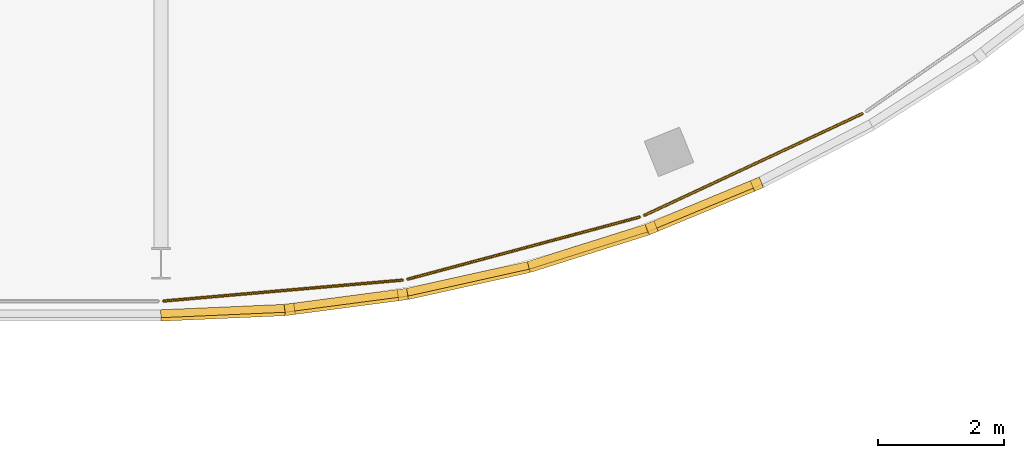
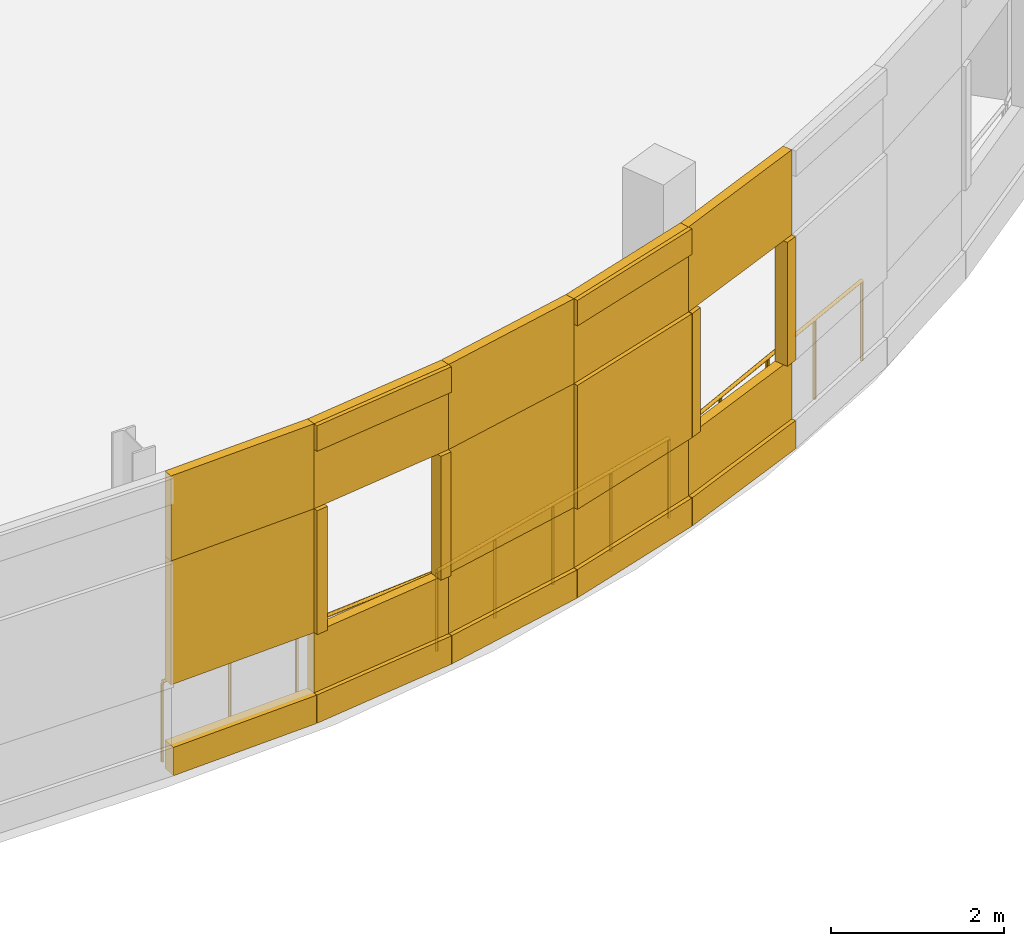
# One storey, part 97 of 103: 23 coverings, 3 railings.
"""IFC4 building model written with IfcOpenShell, lengths in metres."""

from ifc_helpers import new_model, si_unit, direction, frame, origin, origin_2d, place, context, subcontext, project, spatial, rectangle, circle, extrude, material, layer, layer_set, type_object, element, save


model = new_model("IFC4")

# Units and contexts
model_context = context("Model", 3, precision=1e-05, world=origin(), true_north=direction((0.0, 1.0)))
body_context = subcontext(model_context, "Body", "Model", "MODEL_VIEW")
ifc_project = project(units=[si_unit("LENGTHUNIT", "METRE"), si_unit("AREAUNIT", "SQUARE_METRE"), si_unit("VOLUMEUNIT", "CUBIC_METRE"), si_unit("PLANEANGLEUNIT", "RADIAN"), si_unit("MASSUNIT", "GRAM", prefix="KILO")], contexts=[model_context])

# Site, building, storey
site_placement = place(None, origin())
site = spatial("IfcSite", under=ifc_project, at=site_placement, CompositionType="ELEMENT")
building_placement = place(site_placement, origin())
building = spatial("IfcBuilding", under=site, at=building_placement, Name="Deido Ridge Mobility Hub", CompositionType="ELEMENT")
storey_placement = place(building_placement, frame((0.0, 0.0, 12.60009765625)))
storey = spatial("IfcBuildingStorey", under=building, at=storey_placement, Name="L03", CompositionType="ELEMENT", Elevation=12.60009765625)

# Coverings
ifc_material_1 = material(Name="Fired clay brick masonry", Category="masonry")
ifc_layer = layer(ifc_material_1, 0.114990234375, Name="Fired clay brick masonry")
ifc_layer_set = layer_set([ifc_layer], Name="Fired clay brick masonry")
covering_type = type_object("IfcCoveringType", Name="COV-BRK-SCREEN-115", PredefinedType="CLADDING", material=ifc_layer_set)
covering_1_placement = place(storey_placement, frame((117.9794921875, 81.067626953125, 0.0), z_axis=(0.0, 0.0, 1.0), x_axis=(0.999048982732, 0.043601950678, 0.0)))
element("IfcCovering", 1, at=covering_1_placement, inside=storey, type_object=covering_type, Name="Raised brick relief belt BKS1 (L03)", PredefinedType="CLADDING", context=body_context, shape_type="SweptSolid", body=[
    extrude(rectangle(XDim=1.9619140625, YDim=0.179931640625, at=origin_2d()), origin(), (0.0, 0.0, 1.0), 0.39990234375),
])
covering_2_placement = place(storey_placement, frame((117.978271484375, 81.09521484375, 3.0), z_axis=(0.0, 0.0, 1.0), x_axis=(0.999048982732, 0.043601950678, 0.0)))
element("IfcCovering", 2, at=covering_2_placement, inside=storey, type_object=covering_type, Name="Open brickwork lintel course BKS1 (L03)", PredefinedType="CLADDING", context=body_context, shape_type="SweptSolid", body=[
    extrude(rectangle(XDim=1.9619140625, YDim=0.125, at=origin_2d()), origin(), (0.0, 0.0, 1.0), 1.199951171875),
])
covering_3_placement = place(storey_placement, frame((117.978271484375, 81.09521484375, 1.25), z_axis=(0.0, 0.0, 1.0), x_axis=(0.999048982732, 0.043601950678, 0.0)))
element("IfcCovering", 3, at=covering_3_placement, inside=storey, type_object=covering_type, Name="Curved raised brickwork pier BKS1 (L03)", PredefinedType="CLADDING", context=body_context, shape_type="SweptSolid", body=[
    extrude(rectangle(XDim=1.9619140625, YDim=0.125, at=origin_2d()), origin(), (0.0, 0.0, 1.0), 1.75),
])
covering_4_placement = place(storey_placement, frame((119.92724609375, 81.265625, 0.0), z_axis=(0.0, 0.0, 1.0), x_axis=(0.991442583111, 0.130543496177, 0.0)))
element("IfcCovering", 4, at=covering_4_placement, inside=storey, type_object=covering_type, Name="Open brickwork spandrel course BKS1 (L03)", PredefinedType="CLADDING", context=body_context, shape_type="SweptSolid", body=[
    extrude(rectangle(XDim=1.9619140625, YDim=0.125, at=origin_2d()), origin(), (0.0, 0.0, 1.0), 1.25),
])
covering_5_placement = place(storey_placement, frame((119.930908203125, 81.23828125, 0.0), z_axis=(0.0, 0.0, 1.0), x_axis=(0.991442583111, 0.130543496177, 0.0)))
element("IfcCovering", 5, at=covering_5_placement, inside=storey, type_object=covering_type, Name="Raised brick relief belt BKS1 (L03)", PredefinedType="CLADDING", context=body_context, shape_type="SweptSolid", body=[
    extrude(rectangle(XDim=1.9619140625, YDim=0.179931640625, at=origin_2d()), origin(), (0.0, 0.0, 1.0), 0.39990234375),
])
covering_6_placement = place(storey_placement, frame((119.92724609375, 81.265625, 3.0), z_axis=(0.0, 0.0, 1.0), x_axis=(0.991442583111, 0.130543496177, 0.0)))
element("IfcCovering", 6, at=covering_6_placement, inside=storey, type_object=covering_type, Name="Open brickwork lintel course BKS1 (L03)", PredefinedType="CLADDING", context=body_context, shape_type="SweptSolid", body=[
    extrude(rectangle(XDim=1.9619140625, YDim=0.125, at=origin_2d()), origin(), (0.0, 0.0, 1.0), 1.199951171875),
])
covering_7_placement = place(storey_placement, frame((119.930908203125, 81.23828125, 3.83984375), z_axis=(0.0, 0.0, 1.0), x_axis=(0.991442583111, 0.130543496177, 0.0)))
element("IfcCovering", 7, at=covering_7_placement, inside=storey, type_object=covering_type, Name="Raised brick relief cornice BKS1 (L03)", PredefinedType="CLADDING", context=body_context, shape_type="SweptSolid", body=[
    extrude(rectangle(XDim=1.9619140625, YDim=0.179931640625, at=origin_2d()), origin(), (0.0, 0.0, 1.0), 0.360107421875),
])
for number, where, z_axis, x_axis, name in (
    (8, (119.03759765625, 81.120849609375, 1.25), (0.0, 0.0, 1.0), (0.991442583111, 0.130543496177, 0.0), "Curved brick jamb nib BKS1 (L03)"),
    (9, (120.82421875, 81.35595703125, 1.25), (0.0, 0.0, 1.0), (0.991442583111, 0.130543496177, 0.0), "Curved brick jamb nib BKS1 (L03)"),
):
    element("IfcCovering", number, at=place(storey_placement, frame(where, z_axis=z_axis, x_axis=x_axis)), inside=storey, type_object=covering_type, Name=name, PredefinedType="CLADDING", context=body_context, shape_type="SweptSolid", body=[
        extrude(rectangle(XDim=0.152099609375, YDim=0.179931640625, at=origin_2d()), origin(), (0.0, 0.0, 1.0), 1.75),
    ])
covering_8_placement = place(storey_placement, frame((121.85400390625, 81.60546875, 0.0), z_axis=(0.0, 0.0, 1.0), x_axis=(0.976292229387, 0.216456653485, 0.0)))
element("IfcCovering", 10, at=covering_8_placement, inside=storey, type_object=covering_type, Name="Open brickwork spandrel course BKS1 (L03)", PredefinedType="CLADDING", context=body_context, shape_type="SweptSolid", body=[
    extrude(rectangle(XDim=1.9619140625, YDim=0.125, at=origin_2d()), origin(), (0.0, 0.0, 1.0), 1.25),
])
covering_9_placement = place(storey_placement, frame((121.85986328125, 81.57861328125, 0.0), z_axis=(0.0, 0.0, 1.0), x_axis=(0.976292229387, 0.216456653485, 0.0)))
element("IfcCovering", 11, at=covering_9_placement, inside=storey, type_object=covering_type, Name="Raised brick relief belt BKS1 (L03)", PredefinedType="CLADDING", context=body_context, shape_type="SweptSolid", body=[
    extrude(rectangle(XDim=1.9619140625, YDim=0.179931640625, at=origin_2d()), origin(), (0.0, 0.0, 1.0), 0.39990234375),
])
covering_10_placement = place(storey_placement, frame((121.85400390625, 81.60546875, 3.0), z_axis=(0.0, 0.0, 1.0), x_axis=(0.976292229387, 0.216456653485, 0.0)))
element("IfcCovering", 12, at=covering_10_placement, inside=storey, type_object=covering_type, Name="Open brickwork lintel course BKS1 (L03)", PredefinedType="CLADDING", context=body_context, shape_type="SweptSolid", body=[
    extrude(rectangle(XDim=1.9619140625, YDim=0.125, at=origin_2d()), origin(), (0.0, 0.0, 1.0), 1.199951171875),
])
covering_11_placement = place(storey_placement, frame((121.85400390625, 81.60546875, 1.25), z_axis=(0.0, 0.0, 1.0), x_axis=(0.976292229387, 0.216456653485, 0.0)))
element("IfcCovering", 13, at=covering_11_placement, inside=storey, type_object=covering_type, Name="Curved raised brickwork pier BKS1 (L03)", PredefinedType="CLADDING", context=body_context, shape_type="SweptSolid", body=[
    extrude(rectangle(XDim=1.9619140625, YDim=0.125, at=origin_2d()), origin(), (0.0, 0.0, 1.0), 1.75),
])
covering_12_placement = place(storey_placement, frame((123.74365234375, 82.11181640625, 0.0), z_axis=(0.0, 0.0, 1.0), x_axis=(0.95372744678, 0.300672508319, 0.0)))
element("IfcCovering", 14, at=covering_12_placement, inside=storey, type_object=covering_type, Name="Open brickwork spandrel course BKS1 (L03)", PredefinedType="CLADDING", context=body_context, shape_type="SweptSolid", body=[
    extrude(rectangle(XDim=1.9619140625, YDim=0.125, at=origin_2d()), origin(), (0.0, 0.0, 1.0), 1.25),
])
covering_13_placement = place(storey_placement, frame((123.751953125, 82.085693359375, 0.0), z_axis=(0.0, 0.0, 1.0), x_axis=(0.95372744678, 0.300672508319, 0.0)))
element("IfcCovering", 15, at=covering_13_placement, inside=storey, type_object=covering_type, Name="Raised brick relief belt BKS1 (L03)", PredefinedType="CLADDING", context=body_context, shape_type="SweptSolid", body=[
    extrude(rectangle(XDim=1.9619140625, YDim=0.179931640625, at=origin_2d()), origin(), (0.0, 0.0, 1.0), 0.39990234375),
])
covering_14_placement = place(storey_placement, frame((123.74365234375, 82.11181640625, 3.0), z_axis=(0.0, 0.0, 1.0), x_axis=(0.95372744678, 0.300672508319, 0.0)))
element("IfcCovering", 16, at=covering_14_placement, inside=storey, type_object=covering_type, Name="Open brickwork lintel course BKS1 (L03)", PredefinedType="CLADDING", context=body_context, shape_type="SweptSolid", body=[
    extrude(rectangle(XDim=1.9619140625, YDim=0.125, at=origin_2d()), origin(), (0.0, 0.0, 1.0), 1.199951171875),
])
covering_15_placement = place(storey_placement, frame((123.751953125, 82.085693359375, 3.83984375), z_axis=(0.0, 0.0, 1.0), x_axis=(0.95372744678, 0.300672508319, 0.0)))
element("IfcCovering", 17, at=covering_15_placement, inside=storey, type_object=covering_type, Name="Raised brick relief cornice BKS1 (L03)", PredefinedType="CLADDING", context=body_context, shape_type="SweptSolid", body=[
    extrude(rectangle(XDim=1.9619140625, YDim=0.179931640625, at=origin_2d()), origin(), (0.0, 0.0, 1.0), 0.360107421875),
])
covering_16_placement = place(storey_placement, frame((123.751953125, 82.085693359375, 1.25), z_axis=(0.0, 0.0, 1.0), x_axis=(0.95372744678, 0.300672508319, 0.0)))
element("IfcCovering", 18, at=covering_16_placement, inside=storey, type_object=covering_type, Name="Curved raised brickwork pier BKS1 (L03)", PredefinedType="CLADDING", context=body_context, shape_type="SweptSolid", body=[
    extrude(rectangle(XDim=1.9619140625, YDim=0.179931640625, at=origin_2d()), origin(), (0.0, 0.0, 1.0), 1.75),
])
covering_17_placement = place(storey_placement, frame((125.58203125, 82.781005859375, 0.0), z_axis=(0.0, 0.0, 1.0), x_axis=(0.923872853285, 0.382699557047, 0.0)))
element("IfcCovering", 19, at=covering_17_placement, inside=storey, type_object=covering_type, Name="Open brickwork spandrel course BKS1 (L03)", PredefinedType="CLADDING", context=body_context, shape_type="SweptSolid", body=[
    extrude(rectangle(XDim=1.9619140625, YDim=0.125, at=origin_2d()), origin(), (0.0, 0.0, 1.0), 1.25),
])
covering_18_placement = place(storey_placement, frame((125.5927734375, 82.755615234375, 0.0), z_axis=(0.0, 0.0, 1.0), x_axis=(0.923872853285, 0.382699557047, 0.0)))
element("IfcCovering", 20, at=covering_18_placement, inside=storey, type_object=covering_type, Name="Raised brick relief belt BKS1 (L03)", PredefinedType="CLADDING", context=body_context, shape_type="SweptSolid", body=[
    extrude(rectangle(XDim=1.9619140625, YDim=0.179931640625, at=origin_2d()), origin(), (0.0, 0.0, 1.0), 0.39990234375),
])
covering_19_placement = place(storey_placement, frame((125.58203125, 82.781005859375, 3.0), z_axis=(0.0, 0.0, 1.0), x_axis=(0.923872853285, 0.382699557047, 0.0)))
element("IfcCovering", 21, at=covering_19_placement, inside=storey, type_object=covering_type, Name="Open brickwork lintel course BKS1 (L03)", PredefinedType="CLADDING", context=body_context, shape_type="SweptSolid", body=[
    extrude(rectangle(XDim=1.9619140625, YDim=0.125, at=origin_2d()), origin(), (0.0, 0.0, 1.0), 1.199951171875),
])
for number, where, z_axis, x_axis, name in (
    (22, (124.76025390625, 82.41064453125, 1.25), (0.0, 0.0, 1.0), (0.923872853285, 0.382699557047, 0.0), "Curved brick jamb nib BKS1 (L03)"),
    (23, (126.425048828125, 83.100341796875, 1.25), (0.0, 0.0, 1.0), (0.923872853285, 0.382699557047, 0.0), "Curved brick jamb nib BKS1 (L03)"),
):
    element("IfcCovering", number, at=place(storey_placement, frame(where, z_axis=z_axis, x_axis=x_axis)), inside=storey, type_object=covering_type, Name=name, PredefinedType="CLADDING", context=body_context, shape_type="SweptSolid", body=[
        extrude(rectangle(XDim=0.152099609375, YDim=0.179931640625, at=origin_2d()), origin(), (0.0, 0.0, 1.0), 1.75),
    ])

# Railings
ifc_material_2 = material(Name="Galvanised steel work", Category="steel")
railing_type = type_object("IfcRailingType", Name="RL-GRD-EXT-1150", PredefinedType="GUARDRAIL", material=ifc_material_2)
railing_1_placement = place(storey_placement, frame((117.039794921875, 81.25341796875, 0.0)))
element("IfcRailing", 24, at=railing_1_placement, inside=storey, type_object=railing_type, Name="Parking drum perimeter guard (L03)", PredefinedType="GUARDRAIL", context=body_context, shape_type="SweptSolid", body=[
    extrude(circle(Radius=0.02392578125, at=origin_2d()), frame((0.0, 0.0, 1.1259765625), z_axis=(0.996195112607, 0.08715100469, 0.0), x_axis=(-0.08715100469, 0.996195112607, 0.0)), (0.0, 0.0, 1.0), 3.798583984375),
    extrude(circle(Radius=0.02099609375, at=origin_2d()), origin(), (0.0, 0.0, 1.0), 1.101806640625),
    extrude(circle(Radius=0.02099609375, at=origin_2d()), frame((0.946044921875, 0.082763671875, 0.0)), (0.0, 0.0, 1.0), 1.101806640625),
    extrude(circle(Radius=0.02099609375, at=origin_2d()), frame((1.89208984375, 0.16552734375, 0.0)), (0.0, 0.0, 1.0), 1.101806640625),
    extrude(circle(Radius=0.02099609375, at=origin_2d()), frame((2.838134765625, 0.248291015625, 0.0)), (0.0, 0.0, 1.0), 1.101806640625),
    extrude(circle(Radius=0.02099609375, at=origin_2d()), frame((3.7841796875, 0.3310546875, 0.0)), (0.0, 0.0, 1.0), 1.101806640625),
])
railing_2_placement = place(storey_placement, frame((120.90234375, 81.598388671875, 0.0)))
element("IfcRailing", 25, at=railing_2_placement, inside=storey, type_object=railing_type, Name="Parking drum perimeter guard (L03)", PredefinedType="GUARDRAIL", context=body_context, shape_type="SweptSolid", body=[
    extrude(circle(Radius=0.02392578125, at=origin_2d()), frame((0.0, 0.0, 1.1259765625), z_axis=(0.965937723757, 0.258774639064, 0.0), x_axis=(-0.258774639064, 0.965937723757, 0.0)), (0.0, 0.0, 1.0), 3.79833984375),
    extrude(circle(Radius=0.02099609375, at=origin_2d()), origin(), (0.0, 0.0, 1.0), 1.101806640625),
    extrude(circle(Radius=0.02099609375, at=origin_2d()), frame((0.917236328125, 0.24560546875, 0.0)), (0.0, 0.0, 1.0), 1.101806640625),
    extrude(circle(Radius=0.02099609375, at=origin_2d()), frame((1.83447265625, 0.491455078125, 0.0)), (0.0, 0.0, 1.0), 1.101806640625),
    extrude(circle(Radius=0.02099609375, at=origin_2d()), frame((2.751708984375, 0.7373046875, 0.0)), (0.0, 0.0, 1.0), 1.101806640625),
    extrude(circle(Radius=0.02099609375, at=origin_2d()), frame((3.6689453125, 0.98291015625, 0.0)), (0.0, 0.0, 1.0), 1.101806640625),
])
railing_3_placement = place(storey_placement, frame((124.646240234375, 82.608642578125, 0.0)))
element("IfcRailing", 26, at=railing_3_placement, inside=storey, type_object=railing_type, Name="Parking drum perimeter guard (L03)", PredefinedType="GUARDRAIL", context=body_context, shape_type="SweptSolid", body=[
    extrude(circle(Radius=0.02392578125, at=origin_2d()), frame((0.0, 0.0, 1.1259765625), z_axis=(0.906281639574, 0.422674330627, 0.0), x_axis=(-0.422674330627, 0.906281639574, 0.0)), (0.0, 0.0, 1.0), 3.79833984375),
    extrude(circle(Radius=0.02099609375, at=origin_2d()), origin(), (0.0, 0.0, 1.0), 1.101806640625),
    extrude(circle(Radius=0.02099609375, at=origin_2d()), frame((0.860595703125, 0.4013671875, 0.0)), (0.0, 0.0, 1.0), 1.101806640625),
    extrude(circle(Radius=0.02099609375, at=origin_2d()), frame((1.72119140625, 0.802734375, 0.0)), (0.0, 0.0, 1.0), 1.101806640625),
    extrude(circle(Radius=0.02099609375, at=origin_2d()), frame((2.581787109375, 1.2041015625, 0.0)), (0.0, 0.0, 1.0), 1.101806640625),
    extrude(circle(Radius=0.02099609375, at=origin_2d()), frame((3.4423828125, 1.60546875, 0.0)), (0.0, 0.0, 1.0), 1.101806640625),
])

save(model, "model.ifc")
